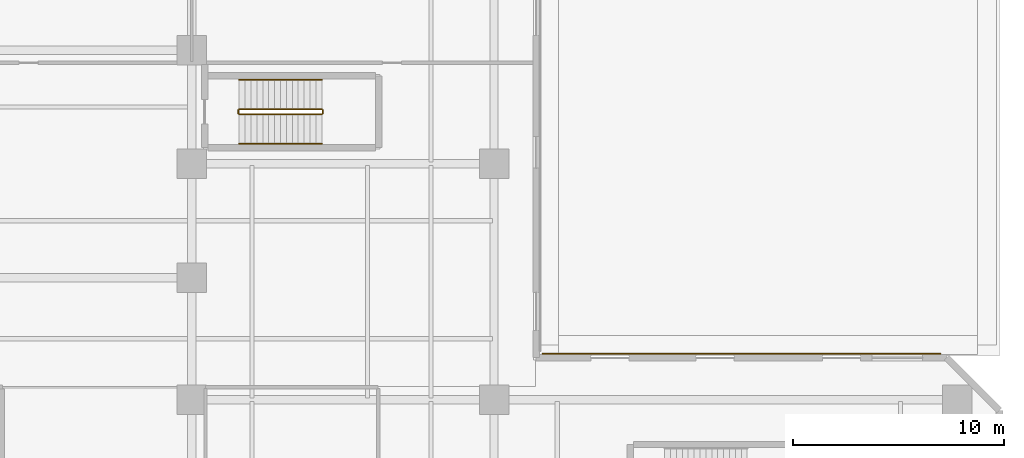
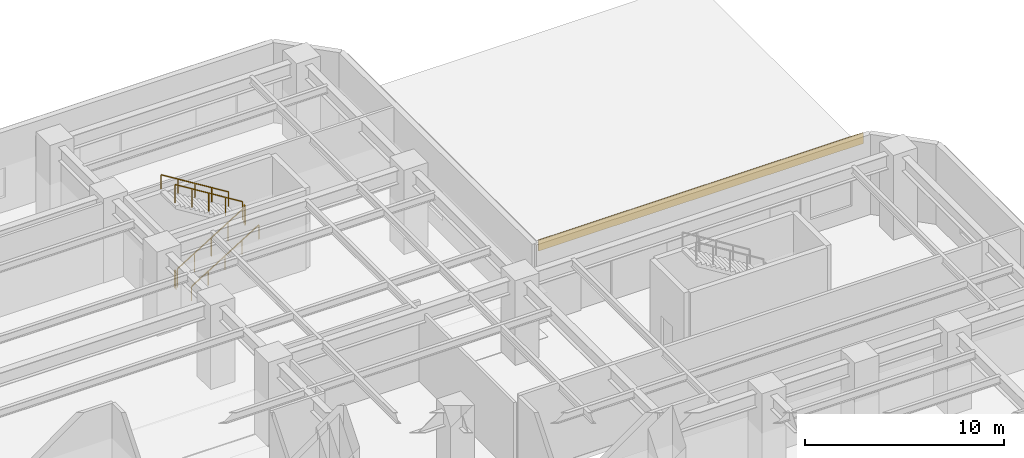
# One storey, part 12 of 14: 6 railings, 1 covering.
"""IFC4 building model written with IfcOpenShell, lengths in metres."""

from ifc_helpers import new_model, si_unit, direction, frame, origin, origin_2d, place, context, subcontext, project, spatial, rectangle, extrude, material, layer, layer_set, type_object, element, save


model = new_model("IFC4")

# Units and contexts
model_context = context("Model", 3, precision=1e-05, world=origin(), true_north=direction((0.0, 1.0)))
body_context = subcontext(model_context, "Body", "Model", "MODEL_VIEW")
ifc_project = project(units=[si_unit("LENGTHUNIT", "METRE"), si_unit("AREAUNIT", "SQUARE_METRE"), si_unit("VOLUMEUNIT", "CUBIC_METRE"), si_unit("PLANEANGLEUNIT", "RADIAN"), si_unit("MASSUNIT", "GRAM", prefix="KILO")], contexts=[model_context])

# Site, building, storey
site_placement = place(None, origin())
site = spatial("IfcSite", under=ifc_project, at=site_placement, CompositionType="ELEMENT")
building_placement = place(site_placement, origin())
building = spatial("IfcBuilding", under=site, at=building_placement, Name="Mawjaban Terraces University", CompositionType="ELEMENT")
storey_placement = place(building_placement, origin())
storey = spatial("IfcBuildingStorey", under=building, at=storey_placement, Name="L00", CompositionType="ELEMENT", Elevation=0.0)

# Railings
ifc_material_1 = material(Name="Brushed stainless steel 316", Category="steel")
railing_type_1 = type_object("IfcRailingType", Name="StairWallHandrail_900", PredefinedType="HANDRAIL", material=ifc_material_1)
railing_1_placement = place(storey_placement, frame((39.89990234375, 42.14990234375, 0.17333984375)))
element("IfcRailing", 1, at=railing_1_placement, inside=storey, type_object=railing_type_1, Name="L00 ST-4 stair handrail 1", PredefinedType="HANDRAIL", context=body_context, shape_type="SweptSolid", body=[
    extrude(rectangle(XDim=0.048095703125, YDim=0.048095703125, at=origin_2d()), frame((0.0, 0.0, 0.8759765625), z_axis=(0.850266275192, 0.0, 0.526352791643), x_axis=(0.0, 1.0, 0.0)), (0.0, 0.0, 1.0), 4.610595703125),
    extrude(rectangle(XDim=0.0419921875, YDim=0.0419921875, at=origin_2d()), origin(), (0.0, 0.0, 1.0), 0.851806640625),
    extrude(rectangle(XDim=0.0419921875, YDim=0.0419921875, at=origin_2d()), frame((0.97998046875, 0.0, 0.606689453125)), (0.0, 0.0, 1.0), 0.851806640625),
    extrude(rectangle(XDim=0.0419921875, YDim=0.0419921875, at=origin_2d()), frame((1.9599609375, 0.0, 1.21337890625)), (0.0, 0.0, 1.0), 0.851806640625),
    extrude(rectangle(XDim=0.0419921875, YDim=0.0419921875, at=origin_2d()), frame((2.940185546875, 0.0, 1.820068359375)), (0.0, 0.0, 1.0), 0.851806640625),
    extrude(rectangle(XDim=0.0419921875, YDim=0.0419921875, at=origin_2d()), frame((3.920166015625, 0.0, 2.4267578125)), (0.0, 0.0, 1.0), 0.851806640625),
])
railing_2_placement = place(storey_placement, frame((43.820068359375, 45.199951171875, 2.7734375)))
element("IfcRailing", 2, at=railing_2_placement, inside=storey, type_object=railing_type_1, Name="L00 ST-4 stair handrail 2", PredefinedType="HANDRAIL", context=body_context, shape_type="SweptSolid", body=[
    extrude(rectangle(XDim=0.048095703125, YDim=0.048095703125, at=origin_2d()), frame((0.0, 0.0, 0.8759765625), z_axis=(-0.850289973577, 0.0, 0.526314507528), x_axis=(0.0, -1.0, 0.0)), (0.0, 0.0, 1.0), 4.6103515625),
    extrude(rectangle(XDim=0.0419921875, YDim=0.0419921875, at=origin_2d()), origin(), (0.0, 0.0, 1.0), 0.851806640625),
    extrude(rectangle(XDim=0.0419921875, YDim=0.0419921875, at=origin_2d()), frame((-0.97998046875, 0.0, 0.606689453125)), (0.0, 0.0, 1.0), 0.851806640625),
    extrude(rectangle(XDim=0.0419921875, YDim=0.0419921875, at=origin_2d()), frame((-1.9599609375, 0.0, 1.21337890625)), (0.0, 0.0, 1.0), 0.851806640625),
    extrude(rectangle(XDim=0.0419921875, YDim=0.0419921875, at=origin_2d()), frame((-2.940185546875, 0.0, 1.81982421875)), (0.0, 0.0, 1.0), 0.851806640625),
    extrude(rectangle(XDim=0.0419921875, YDim=0.0419921875, at=origin_2d()), frame((-3.920166015625, 0.0, 2.426513671875)), (0.0, 0.0, 1.0), 0.851806640625),
])
ifc_material_2 = material(Name="Galvanised painted steel S355", Category="steel")
railing_type_2 = type_object("IfcRailingType", Name="StairWellGuard_1150", PredefinedType="BALUSTRADE", material=ifc_material_2)
railing_3_placement = place(storey_placement, frame((39.89990234375, 43.550048828125, 0.17333984375)))
element("IfcRailing", 3, at=railing_3_placement, inside=storey, type_object=railing_type_2, Name="L00 ST-4 stair guard 1", PredefinedType="BALUSTRADE", context=body_context, shape_type="SweptSolid", body=[
    extrude(rectangle(XDim=0.048095703125, YDim=0.048095703125, at=origin_2d()), frame((0.0, 0.0, 1.1259765625), z_axis=(0.850266275192, 0.0, 0.526352791643), x_axis=(0.0, 1.0, 0.0)), (0.0, 0.0, 1.0), 4.610595703125),
    extrude(rectangle(XDim=0.0419921875, YDim=0.0419921875, at=origin_2d()), origin(), (0.0, 0.0, 1.0), 1.101806640625),
    extrude(rectangle(XDim=0.0419921875, YDim=0.0419921875, at=origin_2d()), frame((0.97998046875, 0.0, 0.606689453125)), (0.0, 0.0, 1.0), 1.101806640625),
    extrude(rectangle(XDim=0.0419921875, YDim=0.0419921875, at=origin_2d()), frame((1.9599609375, 0.0, 1.21337890625)), (0.0, 0.0, 1.0), 1.101806640625),
    extrude(rectangle(XDim=0.0419921875, YDim=0.0419921875, at=origin_2d()), frame((2.940185546875, 0.0, 1.820068359375)), (0.0, 0.0, 1.0), 1.101806640625),
    extrude(rectangle(XDim=0.0419921875, YDim=0.0419921875, at=origin_2d()), frame((3.920166015625, 0.0, 2.4267578125)), (0.0, 0.0, 1.0), 1.101806640625),
])
railing_4_placement = place(storey_placement, frame((43.8701171875, 43.60009765625, 2.60009765625)))
element("IfcRailing", 4, at=railing_4_placement, inside=storey, type_object=railing_type_2, Name="L00 ST-4 stair guard 2", PredefinedType="BALUSTRADE", context=body_context, shape_type="SweptSolid", body=[
    extrude(rectangle(XDim=0.048095703125, YDim=0.048095703125, at=origin_2d()), frame((0.0, 0.0, 1.1259765625), z_axis=(0.0, 1.0, 0.0), x_axis=(-1.0, 0.0, 0.0)), (0.0, 0.0, 1.0), 0.14990234375),
    extrude(rectangle(XDim=0.0419921875, YDim=0.0419921875, at=origin_2d()), origin(), (0.0, 0.0, 1.0), 1.101806640625),
    extrude(rectangle(XDim=0.0419921875, YDim=0.0419921875, at=origin_2d()), frame((0.0, 0.14990234375, 0.0)), (0.0, 0.0, 1.0), 1.101806640625),
])
railing_5_placement = place(storey_placement, frame((43.820068359375, 43.800048828125, 2.7734375)))
element("IfcRailing", 5, at=railing_5_placement, inside=storey, type_object=railing_type_2, Name="L00 ST-4 stair guard 3", PredefinedType="BALUSTRADE", context=body_context, shape_type="SweptSolid", body=[
    extrude(rectangle(XDim=0.048095703125, YDim=0.048095703125, at=origin_2d()), frame((0.0, 0.0, 1.1259765625), z_axis=(-0.850289973577, 0.0, 0.526314507528), x_axis=(0.0, -1.0, 0.0)), (0.0, 0.0, 1.0), 4.6103515625),
    extrude(rectangle(XDim=0.0419921875, YDim=0.0419921875, at=origin_2d()), origin(), (0.0, 0.0, 1.0), 1.101806640625),
    extrude(rectangle(XDim=0.0419921875, YDim=0.0419921875, at=origin_2d()), frame((-0.97998046875, 0.0, 0.606689453125)), (0.0, 0.0, 1.0), 1.101806640625),
    extrude(rectangle(XDim=0.0419921875, YDim=0.0419921875, at=origin_2d()), frame((-1.9599609375, 0.0, 1.21337890625)), (0.0, 0.0, 1.0), 1.101806640625),
    extrude(rectangle(XDim=0.0419921875, YDim=0.0419921875, at=origin_2d()), frame((-2.940185546875, 0.0, 1.81982421875)), (0.0, 0.0, 1.0), 1.101806640625),
    extrude(rectangle(XDim=0.0419921875, YDim=0.0419921875, at=origin_2d()), frame((-3.920166015625, 0.0, 2.426513671875)), (0.0, 0.0, 1.0), 1.101806640625),
])
railing_6_placement = place(storey_placement, frame((39.85009765625, 43.60009765625, 0.0)))
element("IfcRailing", 6, at=railing_6_placement, inside=storey, type_object=railing_type_2, Name="L00 ST-4 stair guard 4", PredefinedType="BALUSTRADE", context=body_context, shape_type="SweptSolid", body=[
    extrude(rectangle(XDim=0.048095703125, YDim=0.048095703125, at=origin_2d()), frame((0.0, 0.0, 1.1259765625), z_axis=(0.0, 1.0, 0.0), x_axis=(-1.0, 0.0, 0.0)), (0.0, 0.0, 1.0), 0.14990234375),
    extrude(rectangle(XDim=0.0419921875, YDim=0.0419921875, at=origin_2d()), origin(), (0.0, 0.0, 1.0), 1.101806640625),
    extrude(rectangle(XDim=0.0419921875, YDim=0.0419921875, at=origin_2d()), frame((0.0, 0.14990234375, 0.0)), (0.0, 0.0, 1.0), 1.101806640625),
])

# Covering
ifc_material_3 = material(Name="Glazed architectural terracotta rainscreen", Category="masonry")
ifc_layer = layer(ifc_material_3, 0.06005859375)
ifc_layer_set = layer_set([ifc_layer], Name="Glazed architectural terracotta rainscreen")
covering_type = type_object("IfcCoveringType", Name="TerracottaSpandrelCladding_60", PredefinedType="CLADDING", material=ifc_layer_set)
covering_placement = place(storey_placement, frame((63.75, 32.18505859375, 4.2451171875), z_axis=(0.0, 0.0, 1.0), x_axis=(-1.0, 0.0, 0.0)))
element("IfcCovering", 7, at=covering_placement, inside=storey, type_object=covering_type, Name="L00 Terracotta Spandrel Cladding 5", PredefinedType="CLADDING", context=body_context, shape_type="SweptSolid", body=[
    extrude(rectangle(XDim=18.89990234375, YDim=0.06005859375, at=origin_2d()), origin(), (0.0, 0.0, 1.0), 0.64990234375),
])

save(model, "model.ifc")
